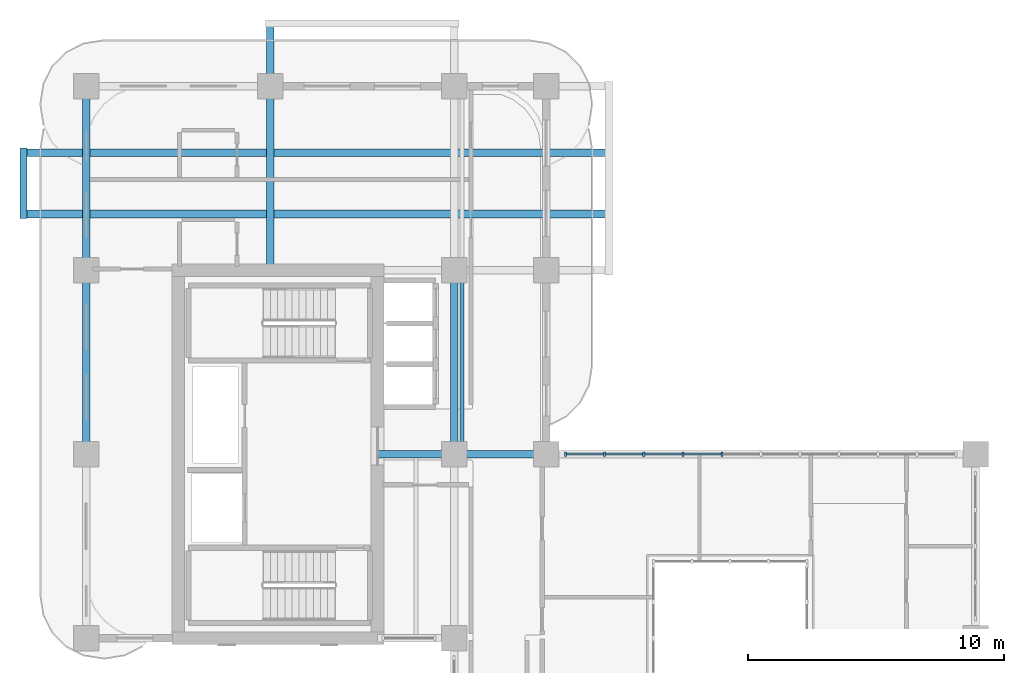
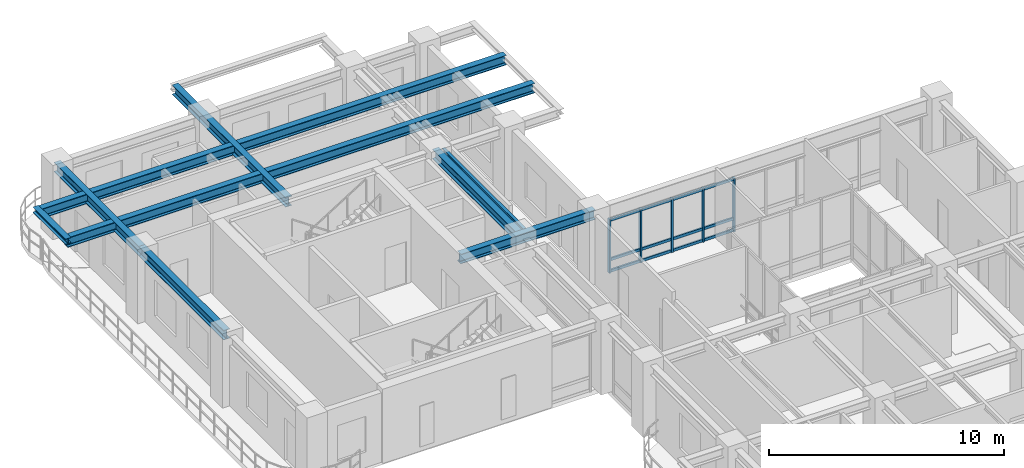
# One storey, part 5 of 20: 17 members, 9 beams, 1 element without a shape of its own.
"""IFC4 building model written with IfcOpenShell, lengths in metres."""

from ifc_helpers import new_model, si_unit, derived_unit, direction, frame, origin, origin_2d, place, context, subcontext, project, spatial, rectangle, i_section, extrude, source, transform, mapped, material, layer, layer_set, material_profile, profile_set, type_object, type_shapes, element, aggregate, save


model = new_model("IFC4")

# Units and contexts
model_context = context("Model", 3, precision=1e-05, world=origin(), true_north=direction((0.0, 1.0)))
body_context = subcontext(model_context, "Body", "Model", "MODEL_VIEW")
ifc_project = project(units=[si_unit("LENGTHUNIT", "METRE"), si_unit("AREAUNIT", "SQUARE_METRE"), si_unit("VOLUMEUNIT", "CUBIC_METRE"), si_unit("PLANEANGLEUNIT", "RADIAN"), si_unit("MASSUNIT", "GRAM", prefix="KILO"), si_unit("THERMODYNAMICTEMPERATUREUNIT", "KELVIN"), si_unit("POWERUNIT", "WATT"), derived_unit("THERMALTRANSMITTANCEUNIT", [(si_unit("POWERUNIT", "WATT"), 1), (si_unit("AREAUNIT", "SQUARE_METRE"), -1), (si_unit("THERMODYNAMICTEMPERATUREUNIT", "KELVIN"), -1)])], contexts=[model_context])

# Site, building, storey
site_placement = place(None, origin())
site = spatial("IfcSite", under=ifc_project, at=site_placement, CompositionType="ELEMENT")
building_placement = place(site_placement, origin())
building = spatial("IfcBuilding", under=site, at=building_placement, Name="Zahravan Archway Hotel and Residences", CompositionType="ELEMENT")
storey_placement = place(building_placement, frame((0.0, 0.0, 173.39990234375)))
storey = spatial("IfcBuildingStorey", under=building, at=storey_placement, Name="L43", CompositionType="ELEMENT", Elevation=173.39990234375)

# Beams
ifc_material_1 = material(Name="Structural Steel S355JR", Category="steel")
ifc_material_profile_1 = material_profile(ifc_material_1, i_section(OverallWidth=0.280029296875, OverallDepth=0.280029296875, WebThickness=0.010498046875, FlangeThickness=0.01806640625, FilletRadius=0.02392578125, at=origin_2d()), Name="HEB 280", Category="steel")
ifc_profile_set_1 = profile_set([ifc_material_profile_1], Name="Structural Steel S355JR")
beam_type_1 = type_object("IfcBeamType", Name="BM-SPN-HEB280", PredefinedType="SPANDREL", material=ifc_profile_set_1)
shared_shape_1 = source(origin(), body_context, "Body", "SweptSolid", [
    extrude(i_section(OverallWidth=0.280029296875, OverallDepth=0.280029296875, WebThickness=0.010498046875, FlangeThickness=0.01806640625, FilletRadius=0.02392578125, at=origin_2d()), origin(), (0.0, 0.0, 1.0), 2.759765625),
])
beam_1_placement = place(storey_placement, frame((-2.449951171875, 41.6201171875, 3.460205078125), z_axis=(0.0, 1.0, 0.0), x_axis=(-1.0, 0.0, 0.0)))
element("IfcBeam", 1, at=beam_1_placement, inside=storey, type_object=beam_type_1, Name="L44 WB Balcony Edge Spandrel", PredefinedType="SPANDREL", context=body_context, shape_type="MappedRepresentation", body=[
    mapped(shared_shape_1, transform((0.0, 0.0, 0.0), scale=1.0)),
])
ifc_material_profile_2 = material_profile(ifc_material_1, i_section(OverallWidth=0.300048828125, OverallDepth=0.5, WebThickness=0.014404296875, FlangeThickness=0.028076171875, FilletRadius=0.027099609375, at=origin_2d()), Name="HEB 500", Category="steel")
ifc_profile_set_2 = profile_set([ifc_material_profile_2], Name="Structural Steel S355JR")
beam_type_2 = type_object("IfcBeamType", Name="BM-PRI-HEB500", PredefinedType="BEAM", material=ifc_profile_set_2)
shared_shape_2 = source(origin(), body_context, "Body", "SweptSolid", [
    extrude(i_section(OverallWidth=0.300048828125, OverallDepth=0.5, WebThickness=0.014404296875, FlangeThickness=0.028076171875, FilletRadius=0.027099609375, at=origin_2d()), origin(), (0.0, 0.0, 1.0), 7.2001953125),
])
type_shapes(beam_type_2, [shared_shape_2])
for number, where, z_axis, x_axis, name in (
    (2, (0.0, 32.39990234375, 3.35009765625), (0.0, 1.0, 0.0), (-1.0, 0.0, 0.0), "L43 Primary Girder NS-25"),
    (3, (14.39990234375, 32.39990234375, 3.35009765625), (0.0, 1.0, 0.0), (-1.0, 0.0, 0.0), "L43 Primary Girder NS-33"),
):
    element("IfcBeam", number, at=place(storey_placement, frame(where, z_axis=z_axis, x_axis=x_axis)), inside=storey, type_object=beam_type_2, Name=name, PredefinedType="BEAM", context=body_context, shape_type="MappedRepresentation", body=[
        mapped(shared_shape_2, transform((0.0, 0.0, 0.0), scale=1.0)),
    ])
shared_shape_3 = source(origin(), body_context, "Body", "SweptSolid", [
    extrude(i_section(OverallWidth=0.300048828125, OverallDepth=0.5, WebThickness=0.014404296875, FlangeThickness=0.028076171875, FilletRadius=0.027099609375, at=origin_2d()), origin(), (0.0, 0.0, 1.0), 7.199951171875),
])
beam_2_placement = place(storey_placement, frame((0.0, 39.60009765625, 3.35009765625), z_axis=(0.0, 1.0, 0.0), x_axis=(-1.0, 0.0, 0.0)))
element("IfcBeam", 4, at=beam_2_placement, inside=storey, type_object=beam_type_2, Name="L43 Primary Girder NS-26", PredefinedType="BEAM", context=body_context, shape_type="MappedRepresentation", body=[
    mapped(shared_shape_3, transform((0.0, 0.0, 0.0), scale=1.0)),
])
shared_shape_4 = source(origin(), body_context, "Body", "SweptSolid", [
    extrude(i_section(OverallWidth=0.300048828125, OverallDepth=0.5, WebThickness=0.014404296875, FlangeThickness=0.028076171875, FilletRadius=0.027099609375, at=origin_2d()), origin(), (0.0, 0.0, 1.0), 6.60009765625),
])
beam_3_placement = place(storey_placement, frame((11.39990234375, 32.39990234375, 3.35009765625), z_axis=(1.0, 0.0, 0.0), x_axis=(0.0, 1.0, 0.0)))
element("IfcBeam", 5, at=beam_3_placement, inside=storey, type_object=beam_type_2, Name="L43 Primary Girder EW-17", PredefinedType="BEAM", context=body_context, shape_type="MappedRepresentation", body=[
    mapped(shared_shape_4, transform((0.0, 0.0, 0.0), scale=1.0)),
])
shared_shape_5 = source(origin(), body_context, "Body", "SweptSolid", [
    extrude(i_section(OverallWidth=0.300048828125, OverallDepth=0.5, WebThickness=0.014404296875, FlangeThickness=0.028076171875, FilletRadius=0.027099609375, at=origin_2d()), origin(), (0.0, 0.0, 1.0), 22.89990234375),
])
for number, where, z_axis, x_axis, name in (
    (6, (-2.449951171875, 41.800048828125, 3.35009765625), (1.0, 0.0, 0.0), (0.0, 1.0, 0.0), "L43 Primary Girder EW-22"),
    (7, (-2.449951171875, 44.199951171875, 3.35009765625), (1.0, 0.0, 0.0), (0.0, 1.0, 0.0), "L43 Primary Girder EW-23"),
):
    element("IfcBeam", number, at=place(storey_placement, frame(where, z_axis=z_axis, x_axis=x_axis)), inside=storey, type_object=beam_type_2, Name=name, PredefinedType="BEAM", context=body_context, shape_type="MappedRepresentation", body=[
        mapped(shared_shape_5, transform((0.0, 0.0, 0.0), scale=1.0)),
    ])
shared_shape_6 = source(origin(), body_context, "Body", "SweptSolid", [
    extrude(i_section(OverallWidth=0.300048828125, OverallDepth=0.5, WebThickness=0.014404296875, FlangeThickness=0.028076171875, FilletRadius=0.027099609375, at=origin_2d()), origin(), (0.0, 0.0, 1.0), 9.64990234375),
])
beam_4_placement = place(storey_placement, frame((7.199951171875, 39.60009765625, 3.35009765625), z_axis=(0.0, 1.0, 0.0), x_axis=(-1.0, 0.0, 0.0)))
element("IfcBeam", 8, at=beam_4_placement, inside=storey, type_object=beam_type_2, Name="L43 Primary Girder NS-27", PredefinedType="BEAM", context=body_context, shape_type="MappedRepresentation", body=[
    mapped(shared_shape_6, transform((0.0, 0.0, 0.0), scale=1.0)),
])
ifc_material_profile_3 = material_profile(ifc_material_1, i_section(OverallWidth=0.14990234375, OverallDepth=0.300048828125, WebThickness=0.007080078125, FlangeThickness=0.0107421875, FilletRadius=0.014892578125, at=origin_2d()), Name="IPE 300", Category="steel")
ifc_profile_set_3 = profile_set([ifc_material_profile_3], Name="Structural Steel S355JR")
beam_type_3 = type_object("IfcBeamType", Name="BM-JST-IPE300", PredefinedType="JOIST", material=ifc_profile_set_3)
shared_shape_7 = source(origin(), body_context, "Body", "SweptSolid", [
    extrude(i_section(OverallWidth=0.14990234375, OverallDepth=0.300048828125, WebThickness=0.007080078125, FlangeThickness=0.0107421875, FilletRadius=0.014892578125, at=origin_2d()), origin(), (0.0, 0.0, 1.0), 6.90380859375),
])
beam_5_placement = place(storey_placement, frame((14.699951171875, 32.548095703125, 3.4501953125), z_axis=(0.0, 1.0, 0.0), x_axis=(-1.0, 0.0, 0.0)))
element("IfcBeam", 9, at=beam_5_placement, inside=storey, type_object=beam_type_3, Name="L43 Composite Floor Joist 11", PredefinedType="JOIST", context=body_context, shape_type="MappedRepresentation", body=[
    mapped(shared_shape_7, transform((0.0, 0.0, 0.0), scale=1.0)),
])

# Curtain wall, members
ifc_material_2 = material(Name="Bronze-Anodized Unitised Aluminium & Low-E Glass", Category="aluminium")
ifc_layer = layer(ifc_material_2, 0.179931640625, Name="Bronze-Anodized Unitised Aluminium & Low-E Glass", Category="aluminium")
ifc_layer_set = layer_set([ifc_layer], Name="Bronze-Anodized Unitised Aluminium & Low-E Glass")
curtain_wall_type = type_object("IfcCurtainWallType", Name="CW-ATR-GLAZ", PredefinedType="NOTDEFINED", material=ifc_layer_set)
curtain_wall_placement = place(storey_placement, origin())
curtain_wall = element("IfcCurtainWall", 10, at=curtain_wall_placement, inside=storey, type_object=curtain_wall_type, Name="L43 Curtain Wall CW-L43-HNG-N-1", PredefinedType="NOTDEFINED")
ifc_material_3 = material(Name="Bronze-Anodized Extruded Aluminium", Category="aluminium")
ifc_material_profile_4 = material_profile(ifc_material_3, rectangle(XDim=0.080078125, YDim=0.139892578125, at=origin_2d()), Name="TRN 80x140", Category="aluminium")
ifc_profile_set_4 = profile_set([ifc_material_profile_4], Name="Bronze-Anodized Extruded Aluminium")
member_type_1 = type_object("IfcMemberType", Name="CWM-TRN-140", PredefinedType="USERDEFINED", material=ifc_profile_set_4)
shared_shape_8 = source(origin(), body_context, "Body", "SweptSolid", [
    extrude(rectangle(XDim=0.080078125, YDim=0.139892578125, at=origin_2d()), origin(), (0.0, 0.0, 1.0), 1.447998046875),
])
member_1_placement = place(storey_placement, frame((18.800048828125, 32.39990234375, 0.070068359375), z_axis=(1.0, 0.0, 0.0), x_axis=(0.0, 1.0, 0.0)))
member_1 = element("IfcMember", 11, at=member_1_placement, type_object=member_type_1, Name="CW-L43-HNG-N-1 Transom 0-1", ObjectType="TRANSOM", PredefinedType="USERDEFINED", context=body_context, shape_type="MappedRepresentation", body=[
    mapped(shared_shape_8, transform((0.0, 0.0, 0.0), scale=1.0)),
])
member_2_placement = place(storey_placement, frame((18.800048828125, 32.39990234375, 0.66845703125), z_axis=(1.0, 0.0, 0.0), x_axis=(0.0, 1.0, 0.0)))
member_2 = element("IfcMember", 12, at=member_2_placement, type_object=member_type_1, Name="CW-L43-HNG-N-1 Transom 0-2", ObjectType="TRANSOM", PredefinedType="USERDEFINED", context=body_context, shape_type="MappedRepresentation", body=[
    mapped(shared_shape_8, transform((0.0, 0.0, 0.0), scale=1.0)),
])
member_3_placement = place(storey_placement, frame((18.800048828125, 32.39990234375, 2.715087890625), z_axis=(1.0, 0.0, 0.0), x_axis=(0.0, 1.0, 0.0)))
member_3 = element("IfcMember", 13, at=member_3_placement, type_object=member_type_1, Name="CW-L43-HNG-N-1 Transom 0-3", ObjectType="TRANSOM", PredefinedType="USERDEFINED", context=body_context, shape_type="MappedRepresentation", body=[
    mapped(shared_shape_8, transform((0.0, 0.0, 0.0), scale=1.0)),
])
member_4_placement = place(storey_placement, frame((20.327880859375, 32.39990234375, 0.070068359375), z_axis=(1.0, 0.0, 0.0), x_axis=(0.0, 1.0, 0.0)))
member_4 = element("IfcMember", 14, at=member_4_placement, type_object=member_type_1, Name="CW-L43-HNG-N-1 Transom 1-1", ObjectType="TRANSOM", PredefinedType="USERDEFINED", context=body_context, shape_type="MappedRepresentation", body=[
    mapped(shared_shape_8, transform((0.0, 0.0, 0.0), scale=1.0)),
])
member_5_placement = place(storey_placement, frame((20.327880859375, 32.39990234375, 0.66845703125), z_axis=(1.0, 0.0, 0.0), x_axis=(0.0, 1.0, 0.0)))
member_5 = element("IfcMember", 15, at=member_5_placement, type_object=member_type_1, Name="CW-L43-HNG-N-1 Transom 1-2", ObjectType="TRANSOM", PredefinedType="USERDEFINED", context=body_context, shape_type="MappedRepresentation", body=[
    mapped(shared_shape_8, transform((0.0, 0.0, 0.0), scale=1.0)),
])
member_6_placement = place(storey_placement, frame((20.327880859375, 32.39990234375, 2.715087890625), z_axis=(1.0, 0.0, 0.0), x_axis=(0.0, 1.0, 0.0)))
member_6 = element("IfcMember", 16, at=member_6_placement, type_object=member_type_1, Name="CW-L43-HNG-N-1 Transom 1-3", ObjectType="TRANSOM", PredefinedType="USERDEFINED", context=body_context, shape_type="MappedRepresentation", body=[
    mapped(shared_shape_8, transform((0.0, 0.0, 0.0), scale=1.0)),
])
member_7_placement = place(storey_placement, frame((21.85595703125, 32.39990234375, 0.070068359375), z_axis=(1.0, 0.0, 0.0), x_axis=(0.0, 1.0, 0.0)))
member_7 = element("IfcMember", 17, at=member_7_placement, type_object=member_type_1, Name="CW-L43-HNG-N-1 Transom 2-1", ObjectType="TRANSOM", PredefinedType="USERDEFINED", context=body_context, shape_type="MappedRepresentation", body=[
    mapped(shared_shape_8, transform((0.0, 0.0, 0.0), scale=1.0)),
])
member_8_placement = place(storey_placement, frame((21.85595703125, 32.39990234375, 0.66845703125), z_axis=(1.0, 0.0, 0.0), x_axis=(0.0, 1.0, 0.0)))
member_8 = element("IfcMember", 18, at=member_8_placement, type_object=member_type_1, Name="CW-L43-HNG-N-1 Transom 2-2", ObjectType="TRANSOM", PredefinedType="USERDEFINED", context=body_context, shape_type="MappedRepresentation", body=[
    mapped(shared_shape_8, transform((0.0, 0.0, 0.0), scale=1.0)),
])
member_9_placement = place(storey_placement, frame((21.85595703125, 32.39990234375, 2.715087890625), z_axis=(1.0, 0.0, 0.0), x_axis=(0.0, 1.0, 0.0)))
member_9 = element("IfcMember", 19, at=member_9_placement, type_object=member_type_1, Name="CW-L43-HNG-N-1 Transom 2-3", ObjectType="TRANSOM", PredefinedType="USERDEFINED", context=body_context, shape_type="MappedRepresentation", body=[
    mapped(shared_shape_8, transform((0.0, 0.0, 0.0), scale=1.0)),
])
member_10_placement = place(storey_placement, frame((23.384033203125, 32.39990234375, 0.070068359375), z_axis=(1.0, 0.0, 0.0), x_axis=(0.0, 1.0, 0.0)))
member_10 = element("IfcMember", 20, at=member_10_placement, type_object=member_type_1, Name="CW-L43-HNG-N-1 Transom 3-1", ObjectType="TRANSOM", PredefinedType="USERDEFINED", context=body_context, shape_type="MappedRepresentation", body=[
    mapped(shared_shape_8, transform((0.0, 0.0, 0.0), scale=1.0)),
])
member_11_placement = place(storey_placement, frame((23.384033203125, 32.39990234375, 0.66845703125), z_axis=(1.0, 0.0, 0.0), x_axis=(0.0, 1.0, 0.0)))
member_11 = element("IfcMember", 21, at=member_11_placement, type_object=member_type_1, Name="CW-L43-HNG-N-1 Transom 3-2", ObjectType="TRANSOM", PredefinedType="USERDEFINED", context=body_context, shape_type="MappedRepresentation", body=[
    mapped(shared_shape_8, transform((0.0, 0.0, 0.0), scale=1.0)),
])
member_12_placement = place(storey_placement, frame((23.384033203125, 32.39990234375, 2.715087890625), z_axis=(1.0, 0.0, 0.0), x_axis=(0.0, 1.0, 0.0)))
member_12 = element("IfcMember", 22, at=member_12_placement, type_object=member_type_1, Name="CW-L43-HNG-N-1 Transom 3-3", ObjectType="TRANSOM", PredefinedType="USERDEFINED", context=body_context, shape_type="MappedRepresentation", body=[
    mapped(shared_shape_8, transform((0.0, 0.0, 0.0), scale=1.0)),
])
ifc_material_profile_5 = material_profile(ifc_material_3, rectangle(XDim=0.080078125, YDim=0.159912109375, at=origin_2d()), Name="MUL 80x160", Category="aluminium")
ifc_profile_set_5 = profile_set([ifc_material_profile_5], Name="Bronze-Anodized Extruded Aluminium")
member_type_2 = type_object("IfcMemberType", Name="CWM-MUL-160", PredefinedType="MULLION", material=ifc_profile_set_5)
shared_shape_9 = source(origin(), body_context, "Body", "SweptSolid", [
    extrude(rectangle(XDim=0.080078125, YDim=0.159912109375, at=origin_2d()), origin(), (0.0, 0.0, 1.0), 2.78515625),
])
member_13_placement = place(storey_placement, frame((18.760009765625, 32.39990234375, 0.0), z_axis=(0.0, 0.0, 1.0), x_axis=(1.0, 0.0, 0.0)))
member_13 = element("IfcMember", 23, at=member_13_placement, type_object=member_type_2, Name="CW-L43-HNG-N-1 Mullion 0", PredefinedType="MULLION", context=body_context, shape_type="MappedRepresentation", body=[
    mapped(shared_shape_9, transform((0.0, 0.0, 0.0), scale=1.0)),
])
member_14_placement = place(storey_placement, frame((20.2880859375, 32.39990234375, 0.0), z_axis=(0.0, 0.0, 1.0), x_axis=(1.0, 0.0, 0.0)))
member_14 = element("IfcMember", 24, at=member_14_placement, type_object=member_type_2, Name="CW-L43-HNG-N-1 Mullion 1", PredefinedType="MULLION", context=body_context, shape_type="MappedRepresentation", body=[
    mapped(shared_shape_9, transform((0.0, 0.0, 0.0), scale=1.0)),
])
member_15_placement = place(storey_placement, frame((21.81591796875, 32.39990234375, 0.0), z_axis=(0.0, 0.0, 1.0), x_axis=(1.0, 0.0, 0.0)))
member_15 = element("IfcMember", 25, at=member_15_placement, type_object=member_type_2, Name="CW-L43-HNG-N-1 Mullion 2", PredefinedType="MULLION", context=body_context, shape_type="MappedRepresentation", body=[
    mapped(shared_shape_9, transform((0.0, 0.0, 0.0), scale=1.0)),
])
member_16_placement = place(storey_placement, frame((23.343994140625, 32.39990234375, 0.0), z_axis=(0.0, 0.0, 1.0), x_axis=(1.0, 0.0, 0.0)))
member_16 = element("IfcMember", 26, at=member_16_placement, type_object=member_type_2, Name="CW-L43-HNG-N-1 Mullion 3", PredefinedType="MULLION", context=body_context, shape_type="MappedRepresentation", body=[
    mapped(shared_shape_9, transform((0.0, 0.0, 0.0), scale=1.0)),
])
member_17_placement = place(storey_placement, frame((24.8720703125, 32.39990234375, 0.0), z_axis=(0.0, 0.0, 1.0), x_axis=(1.0, 0.0, 0.0)))
member_17 = element("IfcMember", 27, at=member_17_placement, type_object=member_type_2, Name="CW-L43-HNG-N-1 Mullion 4", PredefinedType="MULLION", context=body_context, shape_type="MappedRepresentation", body=[
    mapped(shared_shape_9, transform((0.0, 0.0, 0.0), scale=1.0)),
])
aggregate(curtain_wall, [member_13, member_14, member_15, member_16, member_17, member_1, member_2, member_3, member_4, member_5, member_6, member_7, member_8, member_9, member_10, member_11, member_12])

save(model, "model.ifc")
